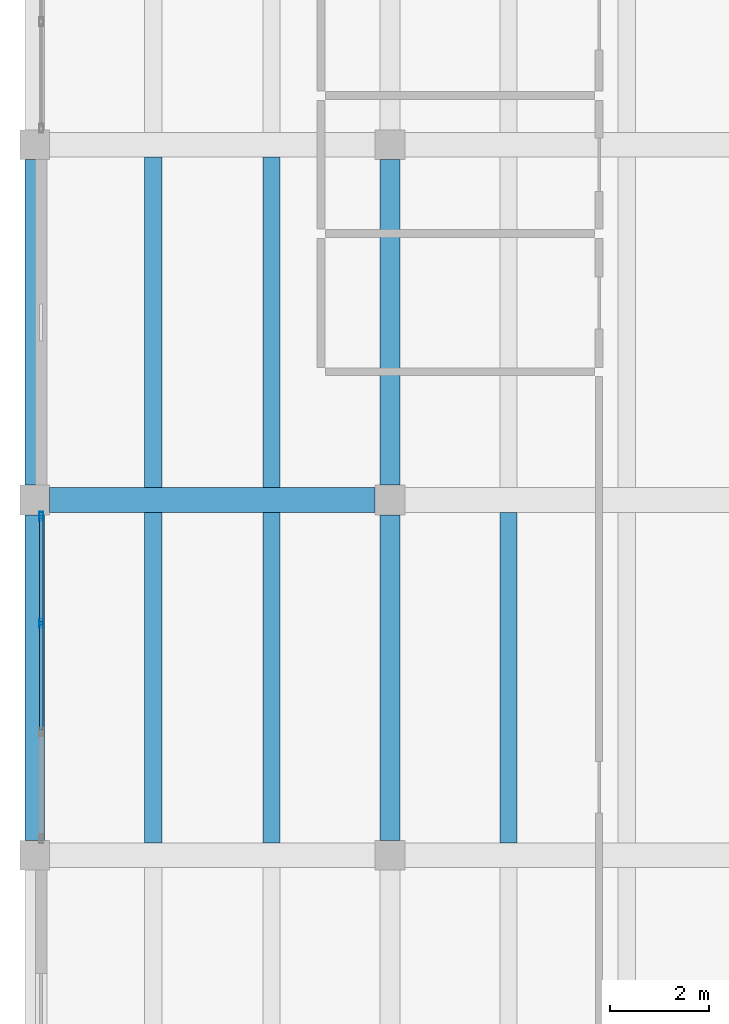
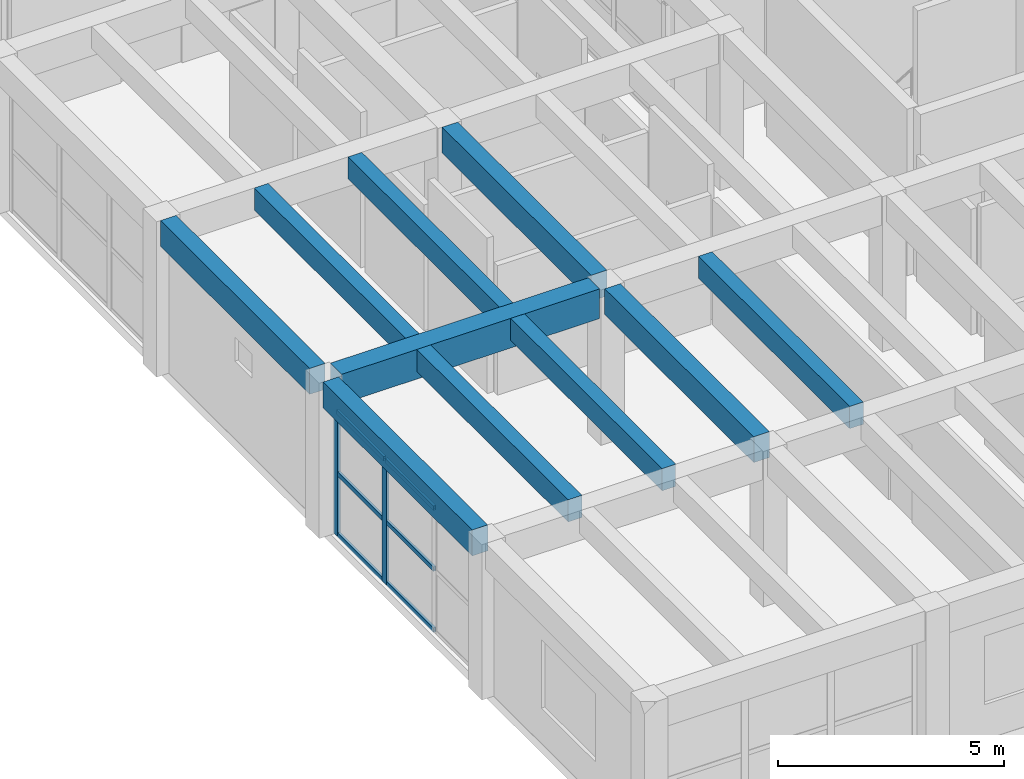
# One storey, part 63 of 153: 10 beams, 8 members, 1 element without a shape of its own.
"""IFC4 building model written with IfcOpenShell, lengths in metres."""

from ifc_helpers import new_model, si_unit, direction, frame, origin, origin_2d, place, context, subcontext, project, spatial, rectangle, hollow_rectangle, extrude, material, material_profile, profile_set, type_object, element, aggregate, save


model = new_model("IFC4")

# Units and contexts
model_context = context("Model", 3, precision=1e-05, world=origin(), true_north=direction((0.0, 1.0)))
body_context = subcontext(model_context, "Body", "Model", "MODEL_VIEW")
ifc_project = project(units=[si_unit("LENGTHUNIT", "METRE"), si_unit("AREAUNIT", "SQUARE_METRE"), si_unit("VOLUMEUNIT", "CUBIC_METRE"), si_unit("PLANEANGLEUNIT", "RADIAN"), si_unit("MASSUNIT", "GRAM", prefix="KILO")], contexts=[model_context])

# Site, building, storey
site_placement = place(None, origin())
site = spatial("IfcSite", under=ifc_project, at=site_placement, CompositionType="ELEMENT")
building_placement = place(site_placement, origin())
building = spatial("IfcBuilding", under=site, at=building_placement, Name="Bramvelor Terrace Health Centre", CompositionType="ELEMENT")
storey_placement = place(building_placement, frame((0.0, 0.0, 4.800048828125)))
storey = spatial("IfcBuildingStorey", under=building, at=storey_placement, Name="L02", CompositionType="ELEMENT", Elevation=4.800048828125)

# Beams
ifc_material_1 = material(Name="Concrete C40/50", Category="concrete")
ifc_material_profile_1 = material_profile(ifc_material_1, rectangle(XDim=0.39990234375, YDim=0.699951171875, at=origin_2d()), Name="RC 400x700")
ifc_profile_set_1 = profile_set([ifc_material_profile_1], Name="Concrete C40/50")
beam_type_1 = type_object("IfcBeamType", Name="BM-RC-G700", PredefinedType="BEAM", material=ifc_profile_set_1)
for number, where, z_axis, x_axis, name in (
    (1, (7.199951171875, 79.5, 3.849853515625), (0.0, 1.0, 0.0), (-1.0, 0.0, 0.0), "L02 Floor Girder"),
    (2, (7.199951171875, 86.699951171875, 3.849853515625), (0.0, 1.0, 0.0), (-1.0, 0.0, 0.0), "L02 Floor Girder"),
):
    element("IfcBeam", number, at=place(storey_placement, frame(where, z_axis=z_axis, x_axis=x_axis)), inside=storey, type_object=beam_type_1, Name=name, PredefinedType="BEAM", context=body_context, shape_type="SweptSolid", body=[
        extrude(rectangle(XDim=0.39990234375, YDim=0.699951171875, at=origin_2d()), origin(), (0.0, 0.0, 1.0), 6.60009765625),
    ])
ifc_material_2 = material(Name="Concrete C40/50", Category="concrete")
ifc_material_profile_2 = material_profile(ifc_material_2, rectangle(XDim=0.5, YDim=0.800048828125, at=origin_2d()), Name="RC 500x800")
ifc_profile_set_2 = profile_set([ifc_material_profile_2], Name="Concrete C40/50")
beam_type_2 = type_object("IfcBeamType", Name="BM-RC-G800", PredefinedType="BEAM", material=ifc_profile_set_2)
beam_1_placement = place(storey_placement, frame((0.300048828125, 86.39990234375, 3.800048828125), z_axis=(1.0, 0.0, 0.0), x_axis=(0.0, 1.0, 0.0)))
element("IfcBeam", 3, at=beam_1_placement, inside=storey, type_object=beam_type_2, Name="L02 Floor Girder", PredefinedType="BEAM", context=body_context, shape_type="SweptSolid", body=[
    extrude(rectangle(XDim=0.5, YDim=0.800048828125, at=origin_2d()), origin(), (0.0, 0.0, 1.0), 6.599853515625),
])
ifc_material_3 = material(Name="Concrete C40/50", Category="concrete")
ifc_material_profile_3 = material_profile(ifc_material_3, rectangle(XDim=0.35009765625, YDim=0.60009765625, at=origin_2d()), Name="RC 350x600")
ifc_profile_set_3 = profile_set([ifc_material_profile_3], Name="Concrete C40/50")
beam_type_3 = type_object("IfcBeamType", Name="BM-RC-J600", PredefinedType="JOIST", material=ifc_profile_set_3)
for number, where, z_axis, x_axis, name in (
    (4, (2.39990234375, 79.449951171875, 3.89990234375), (0.0, 1.0, 0.0), (-1.0, 0.0, 0.0), "L02 Secondary Floor Joist"),
    (5, (4.800048828125, 79.449951171875, 3.89990234375), (0.0, 1.0, 0.0), (-1.0, 0.0, 0.0), "L02 Secondary Floor Joist"),
):
    element("IfcBeam", number, at=place(storey_placement, frame(where, z_axis=z_axis, x_axis=x_axis)), inside=storey, type_object=beam_type_3, Name=name, PredefinedType="JOIST", context=body_context, shape_type="SweptSolid", body=[
        extrude(rectangle(XDim=0.35009765625, YDim=0.60009765625, at=origin_2d()), origin(), (0.0, 0.0, 1.0), 6.699951171875),
    ])
for number, where, z_axis, x_axis, name in (
    (6, (2.39990234375, 86.64990234375, 3.89990234375), (0.0, 1.0, 0.0), (-1.0, 0.0, 0.0), "L02 Secondary Floor Joist"),
    (7, (4.800048828125, 86.64990234375, 3.89990234375), (0.0, 1.0, 0.0), (-1.0, 0.0, 0.0), "L02 Secondary Floor Joist"),
):
    element("IfcBeam", number, at=place(storey_placement, frame(where, z_axis=z_axis, x_axis=x_axis)), inside=storey, type_object=beam_type_3, Name=name, PredefinedType="JOIST", context=body_context, shape_type="SweptSolid", body=[
        extrude(rectangle(XDim=0.35009765625, YDim=0.60009765625, at=origin_2d()), origin(), (0.0, 0.0, 1.0), 6.7001953125),
    ])
beam_2_placement = place(storey_placement, frame((9.60009765625, 79.449951171875, 3.89990234375), z_axis=(0.0, 1.0, 0.0), x_axis=(-1.0, 0.0, 0.0)))
element("IfcBeam", 8, at=beam_2_placement, inside=storey, type_object=beam_type_3, Name="L02 Secondary Floor Joist", PredefinedType="JOIST", context=body_context, shape_type="SweptSolid", body=[
    extrude(rectangle(XDim=0.35009765625, YDim=0.60009765625, at=origin_2d()), origin(), (0.0, 0.0, 1.0), 6.699951171875),
])
ifc_material_4 = material(Name="Concrete C40/50", Category="concrete")
ifc_material_profile_4 = material_profile(ifc_material_4, rectangle(XDim=0.39990234375, YDim=0.699951171875, at=origin_2d()), Name="RC 400x700")
ifc_profile_set_4 = profile_set([ifc_material_profile_4], Name="Concrete C40/50")
beam_type_4 = type_object("IfcBeamType", Name="BM-RC-SP700-EXT", PredefinedType="SPANDREL", material=ifc_profile_set_4)
for number, where, z_axis, x_axis, name in (
    (9, (0.0, 79.5, 3.849853515625), (0.0, 1.0, 0.0), (-1.0, 0.0, 0.0), "L02 Floor Girder"),
    (10, (0.0, 86.699951171875, 3.849853515625), (0.0, 1.0, 0.0), (-1.0, 0.0, 0.0), "L02 Floor Girder"),
):
    element("IfcBeam", number, at=place(storey_placement, frame(where, z_axis=z_axis, x_axis=x_axis)), inside=storey, type_object=beam_type_4, Name=name, PredefinedType="SPANDREL", context=body_context, shape_type="SweptSolid", body=[
        extrude(rectangle(XDim=0.39990234375, YDim=0.699951171875, at=origin_2d()), origin(), (0.0, 0.0, 1.0), 6.60009765625),
    ])

# Curtain wall, members
ifc_material_5 = material(Name="Anodized aluminium and double low-E glass", Category="aluminium")
curtain_wall_type = type_object("IfcCurtainWallType", Name="CW-SYS-12", PredefinedType="NOTDEFINED", material=ifc_material_5)
curtain_wall_placement = place(storey_placement, origin())
curtain_wall = element("IfcCurtainWall", 11, at=curtain_wall_placement, inside=storey, type_object=curtain_wall_type, Name="L02 Unitized Curtain Wall 77", PredefinedType="NOTDEFINED")
ifc_material_6 = material(Name="Anodized aluminium 6063-T6", Category="aluminium")
ifc_material_profile_5 = material_profile(ifc_material_6, hollow_rectangle(XDim=0.074951171875, YDim=0.179931640625, WallThickness=0.00341796875, at=origin_2d()), Name="ALU-MUL 75x180x3.5")
ifc_profile_set_5 = profile_set([ifc_material_profile_5], Name="Anodized aluminium 6063-T6")
member_type_1 = type_object("IfcMemberType", Name="CW-MUL-65x180", PredefinedType="MULLION", material=ifc_profile_set_5)
member_1_placement = place(storey_placement, frame((0.1298828125, 83.901611328125, 0.0), z_axis=(0.0, 0.0, 1.0), x_axis=(-1.0, 0.0, 0.0)))
member_1 = element("IfcMember", 12, at=member_1_placement, type_object=member_type_1, Name="CW-12 mullion 3", PredefinedType="MULLION", context=body_context, shape_type="SweptSolid", body=[
    extrude(hollow_rectangle(XDim=0.074951171875, YDim=0.179931640625, WallThickness=0.00341796875, at=origin_2d()), origin(), (0.0, 0.0, 1.0), 3.35986328125),
])
member_2_placement = place(storey_placement, frame((0.1298828125, 86.0673828125, 0.0), z_axis=(0.0, 0.0, 1.0), x_axis=(-1.0, 0.0, 0.0)))
member_2 = element("IfcMember", 13, at=member_2_placement, type_object=member_type_1, Name="CW-12 mullion 4", PredefinedType="MULLION", context=body_context, shape_type="SweptSolid", body=[
    extrude(hollow_rectangle(XDim=0.074951171875, YDim=0.179931640625, WallThickness=0.00341796875, at=origin_2d()), origin(), (0.0, 0.0, 1.0), 3.35986328125),
])
ifc_material_7 = material(Name="Anodized aluminium 6063-T6", Category="aluminium")
ifc_material_profile_6 = material_profile(ifc_material_7, hollow_rectangle(XDim=0.06494140625, YDim=0.1201171875, WallThickness=0.0029296875, at=origin_2d()), Name="ALU-TRN 65x120x3.0")
ifc_profile_set_6 = profile_set([ifc_material_profile_6], Name="Anodized aluminium 6063-T6")
member_type_2 = type_object("IfcMemberType", Name="CW-TRN-65x150", PredefinedType="USERDEFINED", material=ifc_profile_set_6)
member_3_placement = place(storey_placement, frame((0.1298828125, 81.73583984375, 0.032470703125), z_axis=(0.0, 1.0, 0.0), x_axis=(-1.0, 0.0, 0.0)))
member_3 = element("IfcMember", 14, at=member_3_placement, type_object=member_type_2, Name="CW-12 transom 2.1", ObjectType="TRANSOM", PredefinedType="USERDEFINED", context=body_context, shape_type="SweptSolid", body=[
    extrude(hollow_rectangle(XDim=0.06494140625, YDim=0.1201171875, WallThickness=0.0029296875, at=origin_2d()), origin(), (0.0, 0.0, 1.0), 2.12841796875),
])
member_4_placement = place(storey_placement, frame((0.1298828125, 81.73583984375, 1.679931640625), z_axis=(0.0, 1.0, 0.0), x_axis=(-1.0, 0.0, 0.0)))
member_4 = element("IfcMember", 15, at=member_4_placement, type_object=member_type_2, Name="CW-12 transom 2.2", ObjectType="TRANSOM", PredefinedType="USERDEFINED", context=body_context, shape_type="SweptSolid", body=[
    extrude(hollow_rectangle(XDim=0.06494140625, YDim=0.1201171875, WallThickness=0.0029296875, at=origin_2d()), origin(), (0.0, 0.0, 1.0), 2.12841796875),
])
member_5_placement = place(storey_placement, frame((0.1298828125, 81.73583984375, 3.327392578125), z_axis=(0.0, 1.0, 0.0), x_axis=(-1.0, 0.0, 0.0)))
member_5 = element("IfcMember", 16, at=member_5_placement, type_object=member_type_2, Name="CW-12 transom 2.3", ObjectType="TRANSOM", PredefinedType="USERDEFINED", context=body_context, shape_type="SweptSolid", body=[
    extrude(hollow_rectangle(XDim=0.06494140625, YDim=0.1201171875, WallThickness=0.0029296875, at=origin_2d()), origin(), (0.0, 0.0, 1.0), 2.12841796875),
])
member_6_placement = place(storey_placement, frame((0.1298828125, 83.939208984375, 0.032470703125), z_axis=(0.0, 1.0, 0.0), x_axis=(-1.0, 0.0, 0.0)))
member_6 = element("IfcMember", 17, at=member_6_placement, type_object=member_type_2, Name="CW-12 transom 3.1", ObjectType="TRANSOM", PredefinedType="USERDEFINED", context=body_context, shape_type="SweptSolid", body=[
    extrude(hollow_rectangle(XDim=0.06494140625, YDim=0.1201171875, WallThickness=0.0029296875, at=origin_2d()), origin(), (0.0, 0.0, 1.0), 2.0908203125),
])
member_7_placement = place(storey_placement, frame((0.1298828125, 83.939208984375, 1.679931640625), z_axis=(0.0, 1.0, 0.0), x_axis=(-1.0, 0.0, 0.0)))
member_7 = element("IfcMember", 18, at=member_7_placement, type_object=member_type_2, Name="CW-12 transom 3.2", ObjectType="TRANSOM", PredefinedType="USERDEFINED", context=body_context, shape_type="SweptSolid", body=[
    extrude(hollow_rectangle(XDim=0.06494140625, YDim=0.1201171875, WallThickness=0.0029296875, at=origin_2d()), origin(), (0.0, 0.0, 1.0), 2.0908203125),
])
member_8_placement = place(storey_placement, frame((0.1298828125, 83.939208984375, 3.327392578125), z_axis=(0.0, 1.0, 0.0), x_axis=(-1.0, 0.0, 0.0)))
member_8 = element("IfcMember", 19, at=member_8_placement, type_object=member_type_2, Name="CW-12 transom 3.3", ObjectType="TRANSOM", PredefinedType="USERDEFINED", context=body_context, shape_type="SweptSolid", body=[
    extrude(hollow_rectangle(XDim=0.06494140625, YDim=0.1201171875, WallThickness=0.0029296875, at=origin_2d()), origin(), (0.0, 0.0, 1.0), 2.0908203125),
])
aggregate(curtain_wall, [member_1, member_2, member_3, member_4, member_5, member_6, member_7, member_8])

save(model, "model.ifc")
